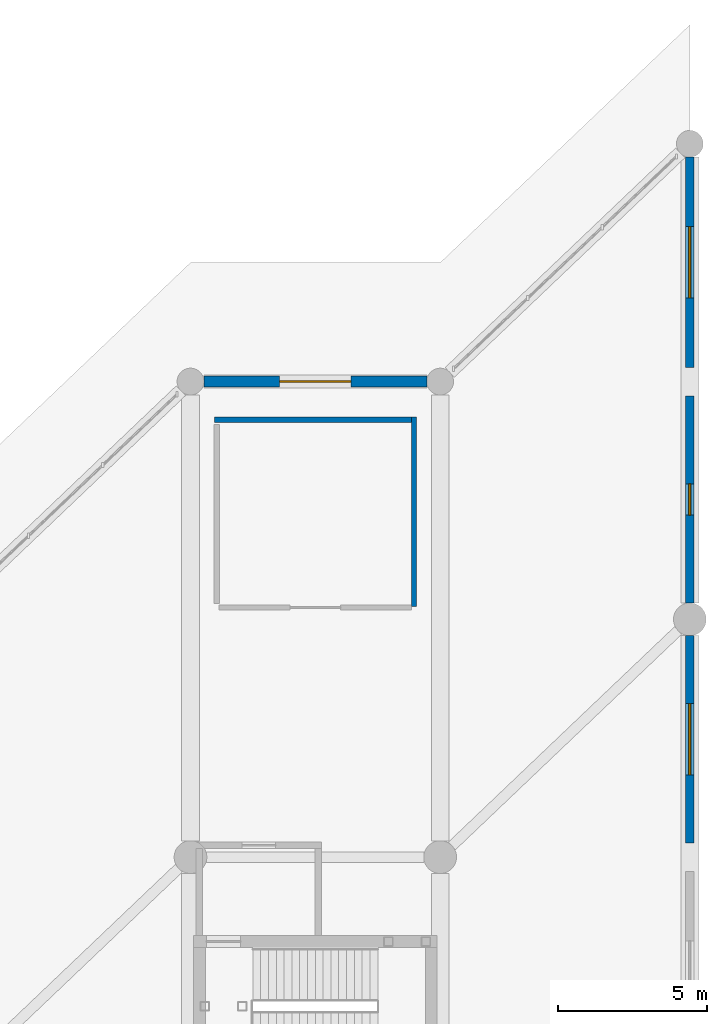
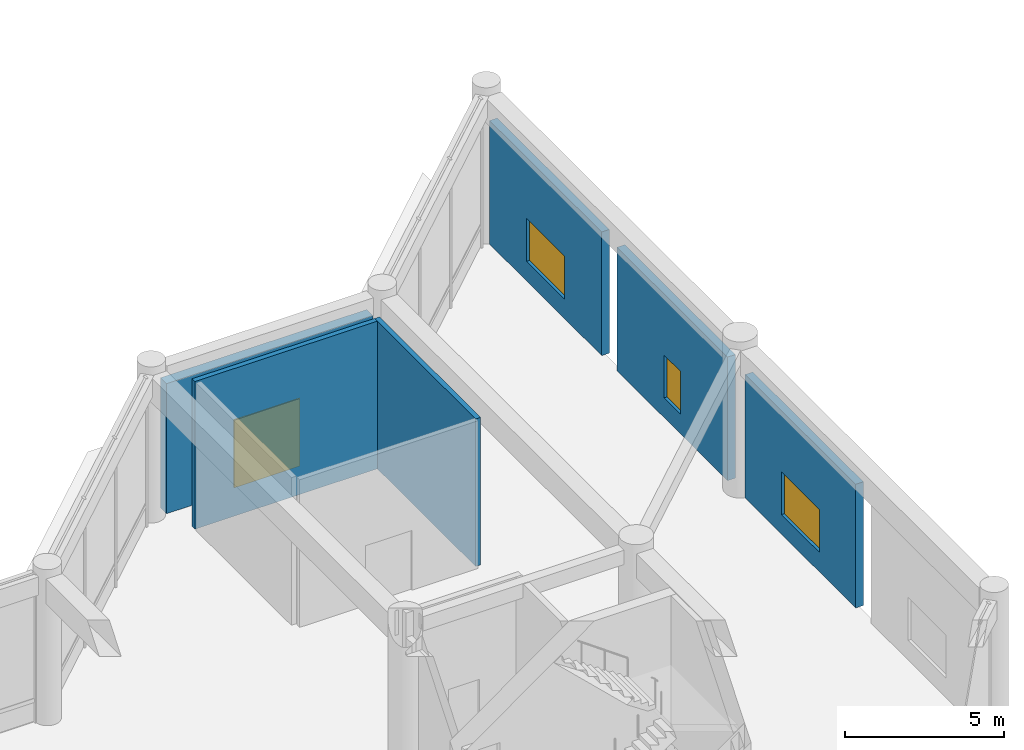
# One storey, part 60 of 76: 6 walls, 3 windows, 1 door, 4 openings.
"""IFC4 building model written with IfcOpenShell, lengths in metres."""

from ifc_helpers import new_model, si_unit, direction, frame, frame_2d, origin, place, context, subcontext, project, spatial, rectangle, extrude, material, layer, layer_set, type_object, element, fill, save


model = new_model("IFC4")

# Units and contexts
model_context = context("Model", 3, precision=1e-05, world=origin(), true_north=direction((0.0, 1.0)))
body_context = subcontext(model_context, "Body", "Model", "MODEL_VIEW")
ifc_project = project(units=[si_unit("LENGTHUNIT", "METRE"), si_unit("AREAUNIT", "SQUARE_METRE"), si_unit("VOLUMEUNIT", "CUBIC_METRE"), si_unit("PLANEANGLEUNIT", "RADIAN"), si_unit("MASSUNIT", "GRAM", prefix="KILO")], contexts=[model_context])

# Site, building, storey
site_placement = place(None, origin())
site = spatial("IfcSite", under=ifc_project, at=site_placement, CompositionType="ELEMENT")
building_placement = place(site_placement, origin())
building = spatial("IfcBuilding", under=site, at=building_placement, Name="Naruveol Harbour Congress Hotel", CompositionType="ELEMENT")
storey_placement = place(building_placement, origin())
storey = spatial("IfcBuildingStorey", under=building, at=storey_placement, Name="L00", CompositionType="ELEMENT", Elevation=0.0)

# Walls
ifc_material_1 = material(Name="Autoclaved Aerated Concrete Block", Category="concrete")
ifc_layer_1 = layer(ifc_material_1, 0.179931640625)
ifc_layer_set_1 = layer_set([ifc_layer_1], Name="Autoclaved Aerated Concrete Block")
wall_type_1 = type_object("IfcWallType", Name="ACOUSTIC HALL PARTITION WALL 180 EI60", PredefinedType="PARTITIONING", material=ifc_layer_set_1)
wall_1_placement = place(storey_placement, frame((175.52001953125, 40.431884765625, 0.0), z_axis=(0.0, 0.0, 1.0), x_axis=(0.0, 1.0, 0.0)))
element("IfcWall", 1, at=wall_1_placement, inside=storey, type_object=wall_type_1, Name="Hotel Administration Office east enclosure partition PW-180", PredefinedType="PARTITIONING", context=body_context, shape_type="SweptSolid", body=[
    extrude(rectangle(XDim=6.3681640625, YDim=0.179931640625, at=frame_2d((3.18408203125, 0.0))), origin(), (0.0, 0.0, 1.0), 5.675048828125),
])
wall_2_placement = place(storey_placement, frame((168.800048828125, 46.719970703125, 0.0), z_axis=(0.0, 0.0, 1.0), x_axis=(1.0, 0.0, 0.0)))
element("IfcWall", 2, at=wall_2_placement, inside=storey, type_object=wall_type_1, Name="Hotel Administration Office north enclosure partition PW-180", PredefinedType="PARTITIONING", context=body_context, shape_type="SweptSolid", body=[
    extrude(rectangle(XDim=6.6298828125, YDim=0.179931640625, at=frame_2d((3.31494140625, 0.0))), origin(), (0.0, 0.0, 1.0), 5.675048828125),
])

# Wall, opening, window
ifc_material_2 = material(Name="Precast concrete C40/50", Category="concrete")
ifc_layer_2 = layer(ifc_material_2, 0.280029296875)
ifc_layer_set_2 = layer_set([ifc_layer_2], Name="Precast concrete C40/50")
wall_type_2 = type_object("IfcWallType", Name="ARCHITECTURAL PRECAST FACADE WALL 280", PredefinedType="SOLIDWALL", material=ifc_layer_set_2)
wall_3_placement = place(storey_placement, frame((184.800048828125, 55.550048828125, 0.0), z_axis=(0.0, 0.0, 1.0), x_axis=(0.0, -1.0, 0.0)))
wall_3 = element("IfcWall", 3, at=wall_3_placement, inside=storey, type_object=wall_type_2, Name="Hotel east gable wall L00 EW-280", PredefinedType="SOLIDWALL", context=body_context, shape_type="SweptSolid", body=[
    extrude(rectangle(XDim=7.070068359375, YDim=0.280029296875, at=frame_2d((3.53515625, 0.0))), origin(), (0.0, 0.0, 1.0), 4.75),
])
opening_1_placement = place(wall_3_placement, frame((2.3349609375, 0.0, 0.75)))
opening_1 = element("IfcOpeningElement", 4, at=opening_1_placement, cuts=wall_3, Name="Opening W-07", PredefinedType="OPENING", context=body_context, shape_type="SweptSolid", body=[
    extrude(rectangle(XDim=2.39990234375, YDim=1.64990234375, at=frame_2d((1.199951171875, 0.824951171875))), frame((0.0, 0.14990234375, 0.0), z_axis=(0.0, -1.0, 0.0), x_axis=(1.0, 0.0, 0.0)), (0.0, 0.0, 1.0), 0.300048828125),
])
ifc_material_3 = material(Name="Low-E Triple Glazing in Thermal Aluminium", Category="aluminium")
window_type_1 = type_object("IfcWindowType", Name="CORNER SUITE WINDOW 2400X1650", PartitioningType="DOUBLE_PANEL_VERTICAL", PredefinedType="WINDOW", material=ifc_material_3)
window_1_placement = place(opening_1_placement, origin())
window_1 = element("IfcWindow", 5, at=window_1_placement, inside=storey, type_object=window_type_1, Name="Window W-07 #174", OverallHeight=1.64990234375, OverallWidth=2.39990234375, PartitioningType="DOUBLE_PANEL_VERTICAL", PredefinedType="WINDOW", context=body_context, shape_type="SweptSolid", body=[
    extrude(rectangle(XDim=2.39990234375, YDim=1.64990234375, at=frame_2d((1.199951171875, 0.824951171875))), frame((0.0, 0.030029296875, 0.0), z_axis=(0.0, -1.0, 0.0), x_axis=(1.0, 0.0, 0.0)), (0.0, 0.0, 1.0), 0.06005859375),
])
fill(opening_1, window_1)

wall_4_placement = place(storey_placement, frame((184.800048828125, 47.52001953125, 0.0), z_axis=(0.0, 0.0, 1.0), x_axis=(0.0, -1.0, 0.0)))
wall_4 = element("IfcWall", 6, at=wall_4_placement, inside=storey, type_object=wall_type_2, Name="Hotel east gable wall L00 EW-280", PredefinedType="SOLIDWALL", context=body_context, shape_type="SweptSolid", body=[
    extrude(rectangle(XDim=6.969970703125, YDim=0.280029296875, at=frame_2d((3.48486328125, 0.0))), origin(), (0.0, 0.0, 1.0), 4.75),
])
opening_2_placement = place(wall_4_placement, frame((2.9599609375, 0.0, 0.75)))
opening_2 = element("IfcOpeningElement", 7, at=opening_2_placement, cuts=wall_4, Name="Opening W-26", PredefinedType="OPENING", context=body_context, shape_type="SweptSolid", body=[
    extrude(rectangle(XDim=1.050048828125, YDim=1.64990234375, at=frame_2d((0.52490234375, 0.824951171875))), frame((0.0, 0.14990234375, 0.0), z_axis=(0.0, -1.0, 0.0), x_axis=(1.0, 0.0, 0.0)), (0.0, 0.0, 1.0), 0.300048828125),
])
ifc_material_4 = material(Name="Low-E Triple Glazing in Thermal Aluminium", Category="aluminium")
window_type_2 = type_object("IfcWindowType", Name="CORRIDOR END VIEW WINDOW 1050X1650", PartitioningType="SINGLE_PANEL", PredefinedType="WINDOW", material=ifc_material_4)
window_2_placement = place(opening_2_placement, origin())
window_2 = element("IfcWindow", 8, at=window_2_placement, inside=storey, type_object=window_type_2, Name="Window W-26 #175", OverallHeight=1.64990234375, OverallWidth=1.050048828125, PartitioningType="SINGLE_PANEL", PredefinedType="WINDOW", context=body_context, shape_type="SweptSolid", body=[
    extrude(rectangle(XDim=1.050048828125, YDim=1.64990234375, at=frame_2d((0.52490234375, 0.824951171875))), frame((0.0, 0.030029296875, 0.0), z_axis=(0.0, -1.0, 0.0), x_axis=(1.0, 0.0, 0.0)), (0.0, 0.0, 1.0), 0.06005859375),
])
fill(opening_2, window_2)

wall_5_placement = place(storey_placement, frame((184.800048828125, 39.449951171875, 0.0), z_axis=(0.0, 0.0, 1.0), x_axis=(0.0, -1.0, 0.0)))
wall_5 = element("IfcWall", 9, at=wall_5_placement, inside=storey, type_object=wall_type_2, Name="Hotel east gable wall L00 EW-280", PredefinedType="SOLIDWALL", context=body_context, shape_type="SweptSolid", body=[
    extrude(rectangle(XDim=6.969970703125, YDim=0.280029296875, at=frame_2d((3.48486328125, 0.0))), origin(), (0.0, 0.0, 1.0), 4.75),
])
opening_3_placement = place(wall_5_placement, frame((2.284912109375, 0.0, 0.75)))
opening_3 = element("IfcOpeningElement", 10, at=opening_3_placement, cuts=wall_5, Name="Opening W-07", PredefinedType="OPENING", context=body_context, shape_type="SweptSolid", body=[
    extrude(rectangle(XDim=2.39990234375, YDim=1.64990234375, at=frame_2d((1.199951171875, 0.824951171875))), frame((0.0, 0.14990234375, 0.0), z_axis=(0.0, -1.0, 0.0), x_axis=(1.0, 0.0, 0.0)), (0.0, 0.0, 1.0), 0.300048828125),
])
window_3_placement = place(opening_3_placement, origin())
window_3 = element("IfcWindow", 11, at=window_3_placement, inside=storey, type_object=window_type_1, Name="Window W-07 #176", OverallHeight=1.64990234375, OverallWidth=2.39990234375, PartitioningType="DOUBLE_PANEL_VERTICAL", PredefinedType="WINDOW", context=body_context, shape_type="SweptSolid", body=[
    extrude(rectangle(XDim=2.39990234375, YDim=1.64990234375, at=frame_2d((1.199951171875, 0.824951171875))), frame((0.0, 0.030029296875, 0.0), z_axis=(0.0, -1.0, 0.0), x_axis=(1.0, 0.0, 0.0)), (0.0, 0.0, 1.0), 0.06005859375),
])
fill(opening_3, window_3)

# Wall, opening, door
ifc_material_5 = material(Name="Concrete C40/50", Category="concrete")
ifc_layer_3 = layer(ifc_material_5, 0.3798828125)
ifc_layer_set_3 = layer_set([ifc_layer_3], Name="Concrete C40/50")
wall_type_3 = type_object("IfcWallType", Name="INSULATED GRANITE FACADE WALL 380", PredefinedType="SOLIDWALL", material=ifc_layer_set_3)
wall_6_placement = place(storey_placement, frame((168.449951171875, 48.0, 0.0), z_axis=(0.0, 0.0, 1.0), x_axis=(1.0, 0.0, 0.0)))
wall_6 = element("IfcWall", 12, at=wall_6_placement, inside=storey, type_object=wall_type_3, Name="Hotel north garden exit bay EW-380", PredefinedType="SOLIDWALL", context=body_context, shape_type="SweptSolid", body=[
    extrude(rectangle(XDim=7.5, YDim=0.3798828125, at=frame_2d((3.75, 0.0))), origin(), (0.0, 0.0, 1.0), 5.0),
])
opening_4_placement = place(wall_6_placement, frame((2.550048828125, 0.0, 0.0)))
opening_4 = element("IfcOpeningElement", 13, at=opening_4_placement, cuts=wall_6, Name="Opening E16", PredefinedType="OPENING", context=body_context, shape_type="SweptSolid", body=[
    extrude(rectangle(XDim=2.39990234375, YDim=2.60009765625, at=frame_2d((1.199951171875, 1.300048828125))), frame((0.0, 0.199951171875, 0.0), z_axis=(0.0, -1.0, 0.0), x_axis=(1.0, 0.0, 0.0)), (0.0, 0.0, 1.0), 0.39990234375),
])
ifc_material_6 = material(Name="Powder-Coated Steel & Insulated Glazing", Category="steel")
door_type = type_object("IfcDoorType", Name="FINAL EXIT DOUBLE DOOR 2400X2600", OperationType="DOUBLE_DOOR_SINGLE_SWING", PredefinedType="DOOR", material=ifc_material_6)
door_placement = place(opening_4_placement, origin())
door = element("IfcDoor", 14, at=door_placement, inside=storey, type_object=door_type, Name="Final Exit Door E16", OperationType="DOUBLE_DOOR_SINGLE_SWING", OverallHeight=2.60009765625, OverallWidth=2.39990234375, PredefinedType="DOOR", context=body_context, shape_type="SweptSolid", body=[
    extrude(rectangle(XDim=2.39990234375, YDim=2.60009765625, at=frame_2d((1.199951171875, 1.300048828125))), frame((0.0, 0.02490234375, 0.0), z_axis=(0.0, -1.0, 0.0), x_axis=(1.0, 0.0, 0.0)), (0.0, 0.0, 1.0), 0.050048828125),
])
fill(opening_4, door)

save(model, "model.ifc")
